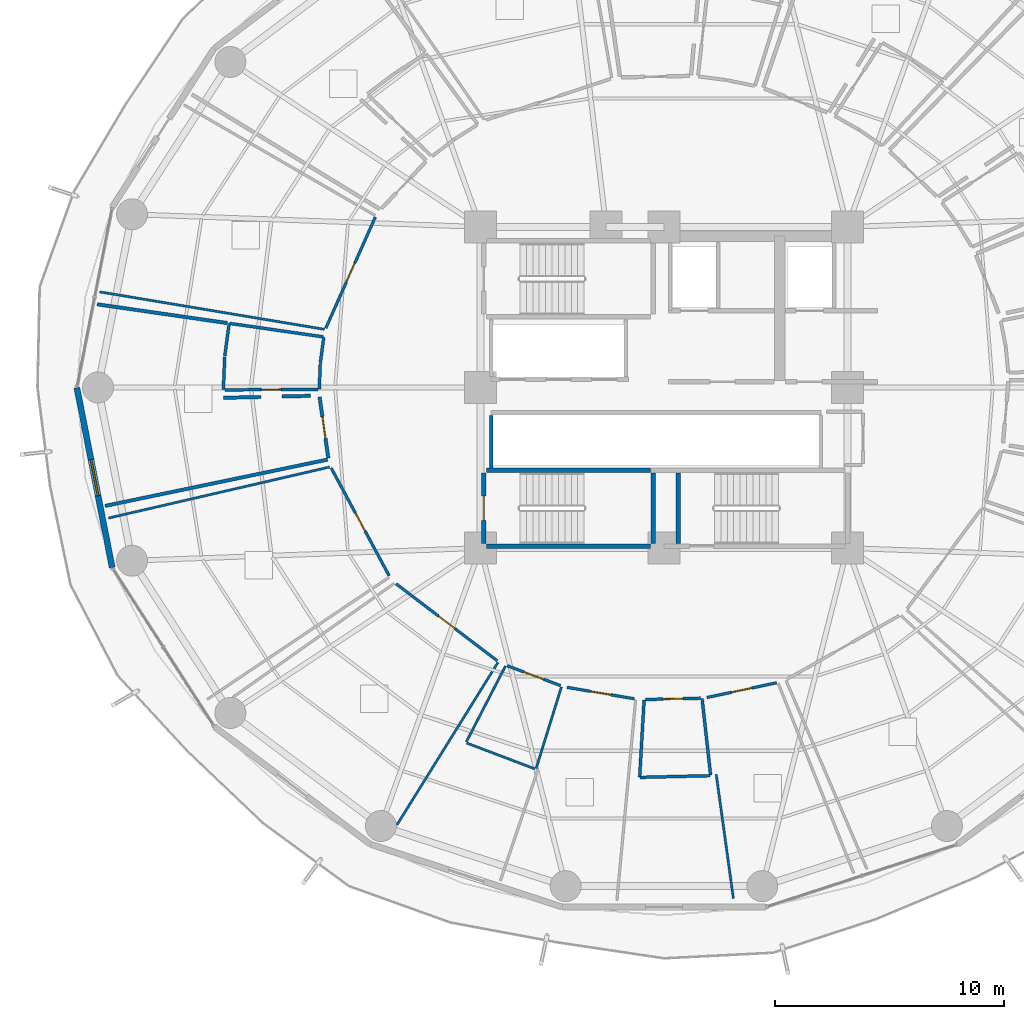
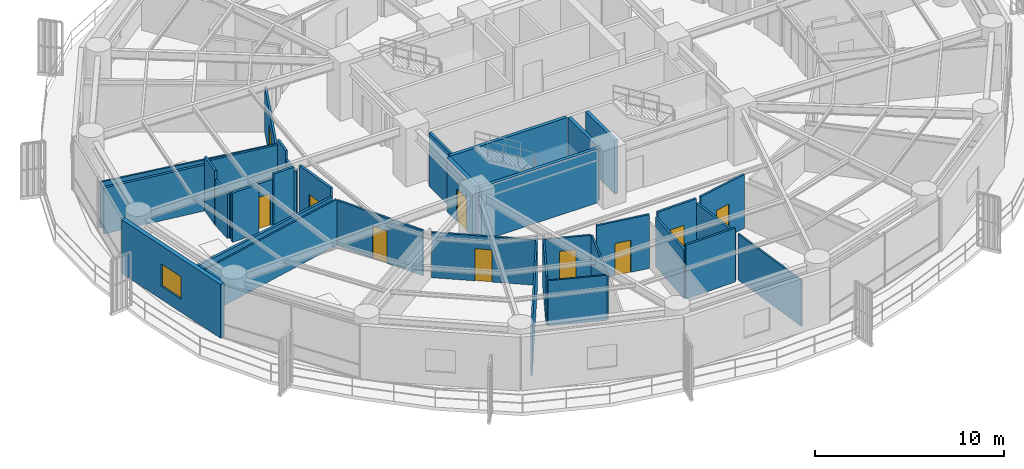
# One storey, part 27 of 35: 35 walls, 10 doors, 1 window, 11 openings.
"""IFC4 building model written with IfcOpenShell, lengths in metres."""

from ifc_helpers import new_model, si_unit, direction, frame, frame_2d, origin, place, context, subcontext, project, spatial, rectangle, extrude, material, layer, layer_set, type_object, element, fill, save


model = new_model("IFC4")

# Units and contexts
model_context = context("Model", 3, precision=1e-05, world=origin(), true_north=direction((0.0, 1.0)))
body_context = subcontext(model_context, "Body", "Model", "MODEL_VIEW")
ifc_project = project(units=[si_unit("LENGTHUNIT", "METRE"), si_unit("AREAUNIT", "SQUARE_METRE"), si_unit("VOLUMEUNIT", "CUBIC_METRE"), si_unit("PLANEANGLEUNIT", "RADIAN"), si_unit("MASSUNIT", "GRAM", prefix="KILO")], contexts=[model_context])

# Site, building, storey
site_placement = place(None, origin())
site = spatial("IfcSite", under=ifc_project, at=site_placement, CompositionType="ELEMENT")
building_placement = place(site_placement, origin())
building = spatial("IfcBuilding", under=site, at=building_placement, Name="Kelanora Arch Commons", CompositionType="ELEMENT")
storey_placement = place(building_placement, frame((0.0, 0.0, 87.60009765625)))
storey = spatial("IfcBuildingStorey", under=building, at=storey_placement, Name="L22", CompositionType="ELEMENT", Elevation=87.60009765625)

# Wall
ifc_material_1 = material(Name="Autoclaved aerated concrete blockwork with fire plaster", Category="masonry")
ifc_layer_1 = layer(ifc_material_1, 0.14990234375)
ifc_layer_set_1 = layer_set([ifc_layer_1], Name="Autoclaved aerated concrete blockwork with fire plaster")
wall_type_1 = type_object("IfcWallType", Name="W-COMP-150", PredefinedType="PARTITIONING", material=ifc_layer_set_1)
wall_1_placement = place(storey_placement, frame((66.4599609375, 54.47998046875, 0.0), z_axis=(0.0, 0.0, 1.0), x_axis=(0.0, 1.0, 0.0)))
element("IfcWall", 1, at=wall_1_placement, inside=storey, type_object=wall_type_1, Name="South Lift Bank West Wall L22", PredefinedType="PARTITIONING", context=body_context, shape_type="SweptSolid", body=[
    extrude(rectangle(XDim=2.2900390625, YDim=0.14990234375, at=frame_2d((1.14501953125, 0.0))), origin(), (0.0, 0.0, 1.0), 3.47998046875),
])

# Wall, opening, door
wall_2_placement = place(storey_placement, frame((58.9833984375, 57.585693359375, 0.0), z_axis=(0.0, 0.0, 1.0), x_axis=(0.141700939895, -0.989909512851, 0.0)))
wall_2 = element("IfcWall", 2, at=wall_2_placement, inside=storey, type_object=wall_type_1, Name="Co-Living Studio L22-07 Entry Partition", PredefinedType="PARTITIONING", context=body_context, shape_type="SweptSolid", body=[
    extrude(rectangle(XDim=2.689453125, YDim=0.14990234375, at=frame_2d((1.3447265625, 0.0))), origin(), (0.0, 0.0, 1.0), 3.47998046875),
])
opening_1_placement = place(wall_2_placement, frame((0.8701171875, 0.0, 0.0)))
opening_1 = element("IfcOpeningElement", 3, at=opening_1_placement, cuts=wall_2, Name="Opening D-CLU1", PredefinedType="OPENING", context=body_context, shape_type="SweptSolid", body=[
    extrude(rectangle(XDim=0.949951171875, YDim=2.080078125, at=frame_2d((0.47509765625, 1.0400390625))), frame((0.0, 0.0849609375, 0.0), z_axis=(0.0, -1.0, 0.0), x_axis=(1.0, 0.0, 0.0)), (0.0, 0.0, 1.0), 0.169921875),
])
ifc_material_2 = material(Name="Solid-core acoustic timber cluster entry fire door", Category="wood")
door_type_1 = type_object("IfcDoorType", Name="D-CLU-95", OperationType="NOTDEFINED", PredefinedType="DOOR", material=ifc_material_2)
door_1_placement = place(opening_1_placement, origin())
door_1 = element("IfcDoor", 4, at=door_1_placement, inside=storey, type_object=door_type_1, Name="Co-Living Studio L22-07 Door", OperationType="SINGLE_SWING_RIGHT", OverallHeight=2.080078125, OverallWidth=0.949951171875, PredefinedType="DOOR", context=body_context, shape_type="SweptSolid", body=[
    extrude(rectangle(XDim=0.949951171875, YDim=2.080078125, at=frame_2d((0.47509765625, 1.0400390625))), frame((0.0, 0.02490234375, 0.0), z_axis=(0.0, -1.0, 0.0), x_axis=(1.0, 0.0, 0.0)), (0.0, 0.0, 1.0), 0.050048828125),
])
fill(opening_1, door_1)

# Walls
wall_3_placement = place(storey_placement, frame((59.333740234375, 54.855712890625, 0.0), z_axis=(0.0, 0.0, 1.0), x_axis=(-0.979013610983, -0.203794871157, 0.0)))
element("IfcWall", 5, at=wall_3_placement, inside=storey, type_object=wall_type_1, Name="Co-Living Studio L22-07 Enclosure Partition 2", PredefinedType="PARTITIONING", context=body_context, shape_type="SweptSolid", body=[
    extrude(rectangle(XDim=9.90966796875, YDim=0.14990234375, at=frame_2d((4.954833984375, 0.0))), origin(), (0.0, 0.0, 1.0), 2.974853515625),
])
wall_4_placement = place(storey_placement, frame((49.28955078125, 61.627197265625, 0.0), z_axis=(0.0, 0.0, 1.0), x_axis=(0.989748303042, -0.142822605444, 0.0)))
element("IfcWall", 6, at=wall_4_placement, inside=storey, type_object=wall_type_1, Name="Co-Living Studio L22-07 Enclosure Partition 5", PredefinedType="PARTITIONING", context=body_context, shape_type="SweptSolid", body=[
    extrude(rectangle(XDim=5.731689453125, YDim=0.14990234375, at=frame_2d((2.86572265625, 0.0))), origin(), (0.0, 0.0, 1.0), 2.974853515625),
])
wall_5_placement = place(storey_placement, frame((54.7958984375, 57.548828125, 0.0), z_axis=(0.0, 0.0, 1.0), x_axis=(0.999735829312, 0.022984159562, 0.0)))
element("IfcWall", 7, at=wall_5_placement, inside=storey, type_object=wall_type_1, Name="Co-Living Studio L22-07 Enclosure Partition 7", PredefinedType="PARTITIONING", context=body_context, shape_type="SweptSolid", body=[
    extrude(rectangle(XDim=1.625244140625, YDim=0.14990234375, at=frame_2d((0.8125, 0.0))), origin(), (0.0, 0.0, 1.0), 3.1748046875),
])
wall_6_placement = place(storey_placement, frame((57.340576171875, 57.607421875, 0.0), z_axis=(0.0, 0.0, 1.0), x_axis=(0.999735089114, 0.02301633322, 0.0)))
element("IfcWall", 8, at=wall_6_placement, inside=storey, type_object=wall_type_1, Name="Co-Living Studio L22-07 Enclosure Partition 7", PredefinedType="PARTITIONING", context=body_context, shape_type="SweptSolid", body=[
    extrude(rectangle(XDim=1.240966796875, YDim=0.14990234375, at=frame_2d((0.62060546875, 0.0))), origin(), (0.0, 0.0, 1.0), 3.47998046875),
])

# Wall, opening, window
ifc_material_3 = material(Name="Precast concrete C40/50 with terracotta rainscreen", Category="masonry")
ifc_layer_2 = layer(ifc_material_3, 0.260009765625)
ifc_layer_set_2 = layer_set([ifc_layer_2], Name="Precast concrete C40/50 with terracotta rainscreen")
wall_type_2 = type_object("IfcWallType", Name="W-EXT-TC", PredefinedType="SOLIDWALL", material=ifc_layer_set_2)
wall_7_placement = place(storey_placement, frame((48.40283203125, 57.9853515625, 0.0), z_axis=(0.0, 0.0, 1.0), x_axis=(0.192581843632, -0.981280914674, 0.0)))
wall_7 = element("IfcWall", 9, at=wall_7_placement, inside=storey, type_object=wall_type_2, Name="Terracotta Exterior Wall L22-B09", PredefinedType="SOLIDWALL", context=body_context, shape_type="SweptSolid", body=[
    extrude(rectangle(XDim=7.986572265625, YDim=0.260009765625, at=frame_2d((3.9931640625, 0.0))), origin(), (0.0, 0.0, 1.0), 3.474853515625),
])
opening_2_placement = place(wall_7_placement, frame((3.193115234375, 0.0, 0.85009765625)))
opening_2 = element("IfcOpeningElement", 10, at=opening_2_placement, cuts=wall_7, Name="Opening WN-01", PredefinedType="OPENING", context=body_context, shape_type="SweptSolid", body=[
    extrude(rectangle(XDim=1.60009765625, YDim=1.449951171875, at=frame_2d((0.800048828125, 0.72509765625))), frame((0.0, 0.14013671875, 0.0), z_axis=(0.0, -1.0, 0.0), x_axis=(1.0, 0.0, 0.0)), (0.0, 0.0, 1.0), 0.280029296875),
])
ifc_material_4 = material(Name="Terracotta-anodised aluminium frame with operable low-E glazing", Category="masonry")
window_type = type_object("IfcWindowType", Name="WIN-CL-18", PartitioningType="DOUBLE_PANEL_VERTICAL", PredefinedType="WINDOW", material=ifc_material_4)
window_placement = place(opening_2_placement, origin())
window = element("IfcWindow", 11, at=window_placement, inside=storey, type_object=window_type, Name="Co-Living Operable Window L22-B09", OverallHeight=1.449951171875, OverallWidth=1.60009765625, PartitioningType="SINGLE_PANEL", PredefinedType="WINDOW", context=body_context, shape_type="SweptSolid", body=[
    extrude(rectangle(XDim=1.60009765625, YDim=1.449951171875, at=frame_2d((0.800048828125, 0.72509765625))), frame((0.0, 0.030029296875, 0.0), z_axis=(0.0, -1.0, 0.0), x_axis=(1.0, 0.0, 0.0)), (0.0, 0.0, 1.0), 0.06005859375),
])
fill(opening_2, window)

# Walls
ifc_material_5 = material(Name="Lightweight fire-rated acoustic stud partition")
ifc_layer_3 = layer(ifc_material_5, 0.10009765625)
ifc_layer_set_3 = layer_set([ifc_layer_3], Name="Lightweight fire-rated acoustic stud partition")
wall_type_3 = type_object("IfcWallType", Name="W-PART-100", PredefinedType="PARTITIONING", material=ifc_layer_set_3)
wall_8_placement = place(storey_placement, frame((59.19140625, 60.53759765625, 0.0), z_axis=(0.0, 0.0, 1.0), x_axis=(-0.986439069388, 0.16412788424, 0.0)))
element("IfcWall", 12, at=wall_8_placement, inside=storey, type_object=wall_type_3, Name="Social Sky Lounge L22-06 Enclosure Partition 2", PredefinedType="PARTITIONING", context=body_context, shape_type="SweptSolid", body=[
    extrude(rectangle(XDim=9.9306640625, YDim=0.10009765625, at=frame_2d((4.96533203125, 0.0))), origin(), (0.0, 0.0, 1.0), 2.974853515625),
])
wall_9_placement = place(storey_placement, frame((49.780029296875, 52.304931640625, 0.0), z_axis=(0.0, 0.0, 1.0), x_axis=(0.9743529317, 0.225025252999, 0.0)))
element("IfcWall", 13, at=wall_9_placement, inside=storey, type_object=wall_type_3, Name="Quiet Seminar Study Room L22-08 Enclosure Partition 4", PredefinedType="PARTITIONING", context=body_context, shape_type="SweptSolid", body=[
    extrude(rectangle(XDim=9.89697265625, YDim=0.10009765625, at=frame_2d((4.948486328125, 0.0))), origin(), (0.0, 0.0, 1.0), 2.974853515625),
])
wall_10_placement = place(storey_placement, frame((66.760986328125, 46.010009765625, 0.0), z_axis=(0.0, 0.0, 1.0), x_axis=(-0.528015738644, -0.849234584638, 0.0)))
element("IfcWall", 14, at=wall_10_placement, inside=storey, type_object=wall_type_3, Name="Communal Dining and Social Hall L22-09 Enclosure Partition 2", PredefinedType="PARTITIONING", context=body_context, shape_type="SweptSolid", body=[
    extrude(rectangle(XDim=8.33837890625, YDim=0.10009765625, at=frame_2d((4.169189453125, 0.0))), origin(), (0.0, 0.0, 1.0), 3.1748046875),
])
wall_11_placement = place(storey_placement, frame((69.530029296875, 44.94482421875, 0.0), z_axis=(0.0, 0.0, 1.0), x_axis=(-0.296510682072, -0.955029536411, 0.0)))
element("IfcWall", 15, at=wall_11_placement, inside=storey, type_object=wall_type_3, Name="Student Laundry Room L22-10 Enclosure Partition 2", PredefinedType="PARTITIONING", context=body_context, shape_type="SweptSolid", body=[
    extrude(rectangle(XDim=3.719970703125, YDim=0.10009765625, at=frame_2d((1.85986328125, 0.0))), origin(), (0.0, 0.0, 1.0), 2.9248046875),
])
wall_12_placement = place(storey_placement, frame((68.377685546875, 41.3681640625, 0.0), z_axis=(0.0, 0.0, 1.0), x_axis=(-0.935027341219, 0.354575621233, 0.0)))
element("IfcWall", 16, at=wall_12_placement, inside=storey, type_object=wall_type_3, Name="Student Laundry Room L22-10 Enclosure Partition 3", PredefinedType="PARTITIONING", context=body_context, shape_type="SweptSolid", body=[
    extrude(rectangle(XDim=3.18310546875, YDim=0.10009765625, at=frame_2d((1.591552734375, 0.0))), origin(), (0.0, 0.0, 1.0), 2.9248046875),
])
wall_13_placement = place(storey_placement, frame((65.38232421875, 42.54638671875, 0.0), z_axis=(0.0, 0.0, 1.0), x_axis=(0.458413879464, 0.888738834031, 0.0)))
element("IfcWall", 17, at=wall_13_placement, inside=storey, type_object=wall_type_3, Name="Student Laundry Room L22-10 Enclosure Partition 4", PredefinedType="PARTITIONING", context=body_context, shape_type="SweptSolid", body=[
    extrude(rectangle(XDim=3.719970703125, YDim=0.10009765625, at=frame_2d((1.85986328125, 0.0))), origin(), (0.0, 0.0, 1.0), 3.1748046875),
])
wall_14_placement = place(storey_placement, frame((77.026611328125, 35.724609375, 0.0), z_axis=(0.0, 0.0, 1.0), x_axis=(-0.136996790132, 0.990571491359, 0.0)))
element("IfcWall", 18, at=wall_14_placement, inside=storey, type_object=wall_type_3, Name="Tutorial Study Alcove L22-11 Enclosure Partition 4", PredefinedType="PARTITIONING", context=body_context, shape_type="SweptSolid", body=[
    extrude(rectangle(XDim=5.44775390625, YDim=0.10009765625, at=frame_2d((2.723876953125, 0.0))), origin(), (0.0, 0.0, 1.0), 2.974853515625),
])

# Wall, opening, door
ifc_material_6 = material(Name="Acoustic twin-stud fire-rated gypsum partition")
ifc_layer_4 = layer(ifc_material_6, 0.1201171875)
ifc_layer_set_4 = layer_set([ifc_layer_4], Name="Acoustic twin-stud fire-rated gypsum partition")
wall_type_4 = type_object("IfcWallType", Name="W-PART-120", PredefinedType="PARTITIONING", material=ifc_layer_set_4)
wall_15_placement = place(storey_placement, frame((61.41357421875, 65.42822265625, 0.0), z_axis=(0.0, 0.0, 1.0), x_axis=(-0.407078232177, -0.913393295841, 0.0)))
wall_15 = element("IfcWall", 19, at=wall_15_placement, inside=storey, type_object=wall_type_4, Name="Social Sky Lounge L22-06 Entry Partition", PredefinedType="PARTITIONING", context=body_context, shape_type="SweptSolid", body=[
    extrude(rectangle(XDim=5.3017578125, YDim=0.1201171875, at=frame_2d((2.65087890625, 0.0))), origin(), (0.0, 0.0, 1.0), 2.9248046875),
])
opening_3_placement = place(wall_15_placement, frame((2.200927734375, 0.0, 0.0)))
opening_3 = element("IfcOpeningElement", 20, at=opening_3_placement, cuts=wall_15, Name="Opening D-RM1", PredefinedType="OPENING", context=body_context, shape_type="SweptSolid", body=[
    extrude(rectangle(XDim=0.89990234375, YDim=2.080078125, at=frame_2d((0.449951171875, 1.0400390625))), frame((0.0, 0.070068359375, 0.0), z_axis=(0.0, -1.0, 0.0), x_axis=(1.0, 0.0, 0.0)), (0.0, 0.0, 1.0), 0.14013671875),
])
ifc_material_7 = material(Name="Acoustic fire-rated timber study and lounge door", Category="wood")
door_type_2 = type_object("IfcDoorType", Name="D-ROOM-90", OperationType="NOTDEFINED", PredefinedType="DOOR", material=ifc_material_7)
door_2_placement = place(opening_3_placement, origin())
door_2 = element("IfcDoor", 21, at=door_2_placement, inside=storey, type_object=door_type_2, Name="Social Sky Lounge L22-06 Door", OperationType="SINGLE_SWING_RIGHT", OverallHeight=2.080078125, OverallWidth=0.89990234375, PredefinedType="DOOR", context=body_context, shape_type="SweptSolid", body=[
    extrude(rectangle(XDim=0.89990234375, YDim=2.080078125, at=frame_2d((0.449951171875, 1.0400390625))), frame((0.0, 0.02490234375, 0.0), z_axis=(0.0, -1.0, 0.0), x_axis=(1.0, 0.0, 0.0)), (0.0, 0.0, 1.0), 0.050048828125),
])
fill(opening_3, door_2)

wall_16_placement = place(storey_placement, frame((59.490478515625, 54.48828125, 0.0), z_axis=(0.0, 0.0, 1.0), x_axis=(0.473630069111, -0.880723882743, 0.0)))
wall_16 = element("IfcWall", 22, at=wall_16_placement, inside=storey, type_object=wall_type_4, Name="Quiet Seminar Study Room L22-08 Entry Partition", PredefinedType="PARTITIONING", context=body_context, shape_type="SweptSolid", body=[
    extrude(rectangle(XDim=5.33154296875, YDim=0.1201171875, at=frame_2d((2.665771484375, 0.0))), origin(), (0.0, 0.0, 1.0), 2.9248046875),
])
opening_4_placement = place(wall_16_placement, frame((2.216064453125, 0.0, 0.0)))
opening_4 = element("IfcOpeningElement", 23, at=opening_4_placement, cuts=wall_16, Name="Opening D-RM1", PredefinedType="OPENING", context=body_context, shape_type="SweptSolid", body=[
    extrude(rectangle(XDim=0.89990234375, YDim=2.080078125, at=frame_2d((0.449951171875, 1.0400390625))), frame((0.0, 0.070068359375, 0.0), z_axis=(0.0, -1.0, 0.0), x_axis=(1.0, 0.0, 0.0)), (0.0, 0.0, 1.0), 0.14013671875),
])
door_3_placement = place(opening_4_placement, origin())
door_3 = element("IfcDoor", 24, at=door_3_placement, inside=storey, type_object=door_type_2, Name="Quiet Seminar Study Room L22-08 Door", OperationType="SINGLE_SWING_LEFT", OverallHeight=2.080078125, OverallWidth=0.89990234375, PredefinedType="DOOR", context=body_context, shape_type="SweptSolid", body=[
    extrude(rectangle(XDim=0.89990234375, YDim=2.080078125, at=frame_2d((0.449951171875, 1.0400390625))), frame((0.0, 0.02490234375, 0.0), z_axis=(0.0, -1.0, 0.0), x_axis=(1.0, 0.0, 0.0)), (0.0, 0.0, 1.0), 0.050048828125),
])
fill(opening_4, door_3)

wall_17_placement = place(storey_placement, frame((62.317626953125, 49.441650390625, 0.0), z_axis=(0.0, 0.0, 1.0), x_axis=(0.795762794985, -0.605608432997, 0.0)))
wall_17 = element("IfcWall", 25, at=wall_17_placement, inside=storey, type_object=wall_type_4, Name="Communal Dining and Social Hall L22-09 Entry Partition", PredefinedType="PARTITIONING", context=body_context, shape_type="SweptSolid", body=[
    extrude(rectangle(XDim=5.55029296875, YDim=0.1201171875, at=frame_2d((2.775146484375, 0.0))), origin(), (0.0, 0.0, 1.0), 2.9248046875),
])
opening_5_placement = place(wall_17_placement, frame((2.324951171875, 0.0, 0.0)))
opening_5 = element("IfcOpeningElement", 26, at=opening_5_placement, cuts=wall_17, Name="Opening D-RM1", PredefinedType="OPENING", context=body_context, shape_type="SweptSolid", body=[
    extrude(rectangle(XDim=0.89990234375, YDim=2.080078125, at=frame_2d((0.449951171875, 1.0400390625))), frame((0.0, 0.070068359375, 0.0), z_axis=(0.0, -1.0, 0.0), x_axis=(1.0, 0.0, 0.0)), (0.0, 0.0, 1.0), 0.14013671875),
])
door_4_placement = place(opening_5_placement, origin())
door_4 = element("IfcDoor", 27, at=door_4_placement, inside=storey, type_object=door_type_2, Name="Communal Dining and Social Hall L22-09 Door", OperationType="SINGLE_SWING_RIGHT", OverallHeight=2.080078125, OverallWidth=0.89990234375, PredefinedType="DOOR", context=body_context, shape_type="SweptSolid", body=[
    extrude(rectangle(XDim=0.89990234375, YDim=2.080078125, at=frame_2d((0.449951171875, 1.0400390625))), frame((0.0, 0.02490234375, 0.0), z_axis=(0.0, -1.0, 0.0), x_axis=(1.0, 0.0, 0.0)), (0.0, 0.0, 1.0), 0.050048828125),
])
fill(opening_5, door_4)

wall_18_placement = place(storey_placement, frame((67.162109375, 45.8671875, 0.0), z_axis=(0.0, 0.0, 1.0), x_axis=(0.937401389833, -0.348250821018, 0.0)))
wall_18 = element("IfcWall", 28, at=wall_18_placement, inside=storey, type_object=wall_type_4, Name="Student Laundry Room L22-10 Entry Partition", PredefinedType="PARTITIONING", context=body_context, shape_type="SweptSolid", body=[
    extrude(rectangle(XDim=2.47900390625, YDim=0.1201171875, at=frame_2d((1.239501953125, 0.0))), origin(), (0.0, 0.0, 1.0), 2.9248046875),
])
opening_6_placement = place(wall_18_placement, frame((0.7890625, 0.0, 0.0)))
opening_6 = element("IfcOpeningElement", 29, at=opening_6_placement, cuts=wall_18, Name="Opening D-RM1", PredefinedType="OPENING", context=body_context, shape_type="SweptSolid", body=[
    extrude(rectangle(XDim=0.89990234375, YDim=2.080078125, at=frame_2d((0.449951171875, 1.0400390625))), frame((0.0, 0.070068359375, 0.0), z_axis=(0.0, -1.0, 0.0), x_axis=(1.0, 0.0, 0.0)), (0.0, 0.0, 1.0), 0.14013671875),
])
door_5_placement = place(opening_6_placement, origin())
door_5 = element("IfcDoor", 30, at=door_5_placement, inside=storey, type_object=door_type_2, Name="Student Laundry Room L22-10 Door", OperationType="SINGLE_SWING_LEFT", OverallHeight=2.080078125, OverallWidth=0.89990234375, PredefinedType="DOOR", context=body_context, shape_type="SweptSolid", body=[
    extrude(rectangle(XDim=0.89990234375, YDim=2.080078125, at=frame_2d((0.449951171875, 1.0400390625))), frame((0.0, 0.02490234375, 0.0), z_axis=(0.0, -1.0, 0.0), x_axis=(1.0, 0.0, 0.0)), (0.0, 0.0, 1.0), 0.050048828125),
])
fill(opening_6, door_5)

wall_19_placement = place(storey_placement, frame((69.777099609375, 44.9248046875, 0.0), z_axis=(0.0, 0.0, 1.0), x_axis=(0.985835901267, -0.167712777608, 0.0)))
wall_19 = element("IfcWall", 31, at=wall_19_placement, inside=storey, type_object=wall_type_4, Name="Quiet Reading Carrel L22-10 Entry Partition", PredefinedType="PARTITIONING", context=body_context, shape_type="SweptSolid", body=[
    extrude(rectangle(XDim=2.97412109375, YDim=0.1201171875, at=frame_2d((1.487060546875, 0.0))), origin(), (0.0, 0.0, 1.0), 3.47998046875),
])
opening_7_placement = place(wall_19_placement, frame((1.037109375, 0.0, 0.0)))
opening_7 = element("IfcOpeningElement", 32, at=opening_7_placement, cuts=wall_19, Name="Opening D-RM1", PredefinedType="OPENING", context=body_context, shape_type="SweptSolid", body=[
    extrude(rectangle(XDim=0.89990234375, YDim=2.080078125, at=frame_2d((0.449951171875, 1.0400390625))), frame((0.0, 0.070068359375, 0.0), z_axis=(0.0, -1.0, 0.0), x_axis=(1.0, 0.0, 0.0)), (0.0, 0.0, 1.0), 0.14013671875),
])
door_6_placement = place(opening_7_placement, origin())
door_6 = element("IfcDoor", 33, at=door_6_placement, inside=storey, type_object=door_type_2, Name="Quiet Reading Carrel L22-10 Door", OperationType="SINGLE_SWING_RIGHT", OverallHeight=2.080078125, OverallWidth=0.89990234375, PredefinedType="DOOR", context=body_context, shape_type="SweptSolid", body=[
    extrude(rectangle(XDim=0.89990234375, YDim=2.080078125, at=frame_2d((0.449951171875, 1.0400390625))), frame((0.0, 0.02490234375, 0.0), z_axis=(0.0, -1.0, 0.0), x_axis=(1.0, 0.0, 0.0)), (0.0, 0.0, 1.0), 0.050048828125),
])
fill(opening_7, door_6)

wall_20_placement = place(storey_placement, frame((75.875732421875, 44.482421875, 0.0), z_axis=(0.0, 0.0, 1.0), x_axis=(0.978387400111, 0.206780306856, 0.0)))
wall_20 = element("IfcWall", 34, at=wall_20_placement, inside=storey, type_object=wall_type_4, Name="Tutorial Study Alcove L22-11 Entry Partition", PredefinedType="PARTITIONING", context=body_context, shape_type="SweptSolid", body=[
    extrude(rectangle(XDim=3.100341796875, YDim=0.1201171875, at=frame_2d((1.55029296875, 0.0))), origin(), (0.0, 0.0, 1.0), 3.47998046875),
])
opening_8_placement = place(wall_20_placement, frame((1.10009765625, 0.0, 0.0)))
opening_8 = element("IfcOpeningElement", 35, at=opening_8_placement, cuts=wall_20, Name="Opening D-RM1", PredefinedType="OPENING", context=body_context, shape_type="SweptSolid", body=[
    extrude(rectangle(XDim=0.89990234375, YDim=2.080078125, at=frame_2d((0.449951171875, 1.0400390625))), frame((0.0, 0.070068359375, 0.0), z_axis=(0.0, -1.0, 0.0), x_axis=(1.0, 0.0, 0.0)), (0.0, 0.0, 1.0), 0.14013671875),
])
door_7_placement = place(opening_8_placement, origin())
door_7 = element("IfcDoor", 36, at=door_7_placement, inside=storey, type_object=door_type_2, Name="Tutorial Study Alcove L22-11 Door", OperationType="SINGLE_SWING_RIGHT", OverallHeight=2.080078125, OverallWidth=0.89990234375, PredefinedType="DOOR", context=body_context, shape_type="SweptSolid", body=[
    extrude(rectangle(XDim=0.89990234375, YDim=2.080078125, at=frame_2d((0.449951171875, 1.0400390625))), frame((0.0, 0.02490234375, 0.0), z_axis=(0.0, -1.0, 0.0), x_axis=(1.0, 0.0, 0.0)), (0.0, 0.0, 1.0), 0.050048828125),
])
fill(opening_8, door_7)

# Walls
ifc_material_8 = material(Name="Concrete C40/50", Category="concrete")
ifc_layer_5 = layer(ifc_material_8, 0.199951171875)
ifc_layer_set_5 = layer_set([ifc_layer_5], Name="Concrete C40/50")
wall_type_5 = type_object("IfcWallType", Name="W-STAIR-200", PredefinedType="SHEAR", material=ifc_layer_set_5)
wall_21_placement = place(storey_placement, frame((74.6201171875, 54.27001953125, 0.0), z_axis=(0.0, 0.0, 1.0), x_axis=(0.0, -1.0, 0.0)))
element("IfcWall", 37, at=wall_21_placement, inside=storey, type_object=wall_type_5, Name="Stair ST-T2 Shaft Wall W L22", PredefinedType="SHEAR", context=body_context, shape_type="SweptSolid", body=[
    extrude(rectangle(XDim=3.070068359375, YDim=0.199951171875, at=frame_2d((1.53515625, 0.0))), origin(), (0.0, 0.0, 1.0), 3.489990234375),
])
wall_22_placement = place(storey_placement, frame((66.260009765625, 51.080078125, 0.0), z_axis=(0.0, 0.0, 1.0), x_axis=(1.0, 0.0, 0.0)))
element("IfcWall", 38, at=wall_22_placement, inside=storey, type_object=wall_type_5, Name="Stair ST-T3 Shaft Wall S L22", PredefinedType="SHEAR", context=body_context, shape_type="SweptSolid", body=[
    extrude(rectangle(XDim=7.159912109375, YDim=0.199951171875, at=frame_2d((3.580078125, 0.0))), origin(), (0.0, 0.0, 1.0), 3.489990234375),
])
wall_23_placement = place(storey_placement, frame((73.5400390625, 51.199951171875, 0.0), z_axis=(0.0, 0.0, 1.0), x_axis=(0.0, 1.0, 0.0)))
element("IfcWall", 39, at=wall_23_placement, inside=storey, type_object=wall_type_5, Name="Stair ST-T3 Shaft Wall E L22", PredefinedType="SHEAR", context=body_context, shape_type="SweptSolid", body=[
    extrude(rectangle(XDim=3.070068359375, YDim=0.199951171875, at=frame_2d((1.53515625, 0.0))), origin(), (0.0, 0.0, 1.0), 3.489990234375),
])
wall_24_placement = place(storey_placement, frame((73.419921875, 54.389892578125, 0.0), z_axis=(0.0, 0.0, 1.0), x_axis=(-1.0, 0.0, 0.0)))
element("IfcWall", 40, at=wall_24_placement, inside=storey, type_object=wall_type_5, Name="Stair ST-T3 Shaft Wall N L22", PredefinedType="SHEAR", context=body_context, shape_type="SweptSolid", body=[
    extrude(rectangle(XDim=7.159912109375, YDim=0.199951171875, at=frame_2d((3.580078125, 0.0))), origin(), (0.0, 0.0, 1.0), 3.489990234375),
])

# Wall, opening, door
wall_25_placement = place(storey_placement, frame((66.139892578125, 54.27001953125, 0.0), z_axis=(0.0, 0.0, 1.0), x_axis=(0.0, -1.0, 0.0)))
wall_25 = element("IfcWall", 41, at=wall_25_placement, inside=storey, type_object=wall_type_5, Name="Stair ST-T3 Shaft Wall W L22", PredefinedType="SHEAR", context=body_context, shape_type="SweptSolid", body=[
    extrude(rectangle(XDim=3.070068359375, YDim=0.199951171875, at=frame_2d((1.53515625, 0.0))), origin(), (0.0, 0.0, 1.0), 3.489990234375),
])
opening_9_placement = place(wall_25_placement, frame((1.010009765625, 0.0, 0.0)))
opening_9 = element("IfcOpeningElement", 42, at=opening_9_placement, cuts=wall_25, Name="Opening D-ST1", PredefinedType="OPENING", context=body_context, shape_type="SweptSolid", body=[
    extrude(rectangle(XDim=1.050048828125, YDim=2.10009765625, at=frame_2d((0.52490234375, 1.050048828125))), frame((0.0, 0.10986328125, 0.0), z_axis=(0.0, -1.0, 0.0), x_axis=(1.0, 0.0, 0.0)), (0.0, 0.0, 1.0), 0.219970703125),
])
ifc_material_9 = material(Name="Steel fire-rated stairwell escape door", Category="steel")
door_type_3 = type_object("IfcDoorType", Name="D-STAIR-110", OperationType="NOTDEFINED", PredefinedType="DOOR", material=ifc_material_9)
door_8_placement = place(opening_9_placement, origin())
door_8 = element("IfcDoor", 43, at=door_8_placement, inside=storey, type_object=door_type_3, Name="Stair ST-T3 Escape Door L22", OperationType="SINGLE_SWING_LEFT", OverallHeight=2.10009765625, OverallWidth=1.050048828125, PredefinedType="DOOR", context=body_context, shape_type="SweptSolid", body=[
    extrude(rectangle(XDim=1.050048828125, YDim=2.10009765625, at=frame_2d((0.52490234375, 1.050048828125))), frame((0.0, 0.02490234375, 0.0), z_axis=(0.0, -1.0, 0.0), x_axis=(1.0, 0.0, 0.0)), (0.0, 0.0, 1.0), 0.050048828125),
])
fill(opening_9, door_8)

ifc_material_10 = material(Name="Moisture-resistant fire-rated cement-board plumbing wall")
ifc_layer_6 = layer(ifc_material_10, 0.1298828125)
ifc_layer_set_6 = layer_set([ifc_layer_6], Name="Moisture-resistant fire-rated cement-board plumbing wall")
wall_type_6 = type_object("IfcWallType", Name="W-WET-120", PredefinedType="PLUMBINGWALL", material=ifc_layer_set_6)
wall_26_placement = place(storey_placement, frame((58.909912109375, 57.917724609375, 0.0), z_axis=(0.0, 0.0, 1.0), x_axis=(-0.999986004608, -0.005290613143, 0.0)))
wall_26 = element("IfcWall", 44, at=wall_26_placement, inside=storey, type_object=wall_type_6, Name="En-Suite Shower WC L22-07 Entry Partition", PredefinedType="PLUMBINGWALL", context=body_context, shape_type="SweptSolid", body=[
    extrude(rectangle(XDim=4.060791015625, YDim=0.1298828125, at=frame_2d((2.0302734375, 0.0))), origin(), (0.0, 0.0, 1.0), 2.9248046875),
])
opening_10_placement = place(wall_26_placement, frame((1.60107421875, 0.0, 0.0)))
opening_10 = element("IfcOpeningElement", 45, at=opening_10_placement, cuts=wall_26, Name="Opening D-BT1", PredefinedType="OPENING", context=body_context, shape_type="SweptSolid", body=[
    extrude(rectangle(XDim=0.860107421875, YDim=2.050048828125, at=frame_2d((0.43017578125, 1.02490234375))), frame((0.0, 0.074951171875, 0.0), z_axis=(0.0, -1.0, 0.0), x_axis=(1.0, 0.0, 0.0)), (0.0, 0.0, 1.0), 0.14990234375),
])
ifc_material_11 = material(Name="Moisture-sealed fire-rated accessible bathroom door")
door_type_4 = type_object("IfcDoorType", Name="D-BATH-85", OperationType="NOTDEFINED", PredefinedType="DOOR", material=ifc_material_11)
door_9_placement = place(opening_10_placement, origin())
door_9 = element("IfcDoor", 46, at=door_9_placement, inside=storey, type_object=door_type_4, Name="En-Suite Shower WC L22-07 Door", OperationType="SINGLE_SWING_LEFT", OverallHeight=2.050048828125, OverallWidth=0.860107421875, PredefinedType="DOOR", context=body_context, shape_type="SweptSolid", body=[
    extrude(rectangle(XDim=0.860107421875, YDim=2.050048828125, at=frame_2d((0.43017578125, 1.02490234375))), frame((0.0, 0.02490234375, 0.0), z_axis=(0.0, -1.0, 0.0), x_axis=(1.0, 0.0, 0.0)), (0.0, 0.0, 1.0), 0.050048828125),
])
fill(opening_10, door_9)

wall_27_placement = place(storey_placement, frame((73.195068359375, 44.394287109375, 0.0), z_axis=(0.0, 0.0, 1.0), x_axis=(0.999715810971, 0.023838986867, 0.0)))
wall_27 = element("IfcWall", 47, at=wall_27_placement, inside=storey, type_object=wall_type_6, Name="Accessible Shared Floor WC L22-11 Entry Partition", PredefinedType="PLUMBINGWALL", context=body_context, shape_type="SweptSolid", body=[
    extrude(rectangle(XDim=2.40673828125, YDim=0.1298828125, at=frame_2d((1.203369140625, 0.0))), origin(), (0.0, 0.0, 1.0), 3.47998046875),
])
opening_11_placement = place(wall_27_placement, frame((0.77294921875, 0.0, 0.0)))
opening_11 = element("IfcOpeningElement", 48, at=opening_11_placement, cuts=wall_27, Name="Opening D-BT1", PredefinedType="OPENING", context=body_context, shape_type="SweptSolid", body=[
    extrude(rectangle(XDim=0.860107421875, YDim=2.050048828125, at=frame_2d((0.43017578125, 1.02490234375))), frame((0.0, 0.074951171875, 0.0), z_axis=(0.0, -1.0, 0.0), x_axis=(1.0, 0.0, 0.0)), (0.0, 0.0, 1.0), 0.14990234375),
])
door_10_placement = place(opening_11_placement, origin())
door_10 = element("IfcDoor", 49, at=door_10_placement, inside=storey, type_object=door_type_4, Name="Accessible Shared Floor WC L22-11 Door", OperationType="SINGLE_SWING_LEFT", OverallHeight=2.050048828125, OverallWidth=0.860107421875, PredefinedType="DOOR", context=body_context, shape_type="SweptSolid", body=[
    extrude(rectangle(XDim=0.860107421875, YDim=2.050048828125, at=frame_2d((0.43017578125, 1.02490234375))), frame((0.0, 0.02490234375, 0.0), z_axis=(0.0, -1.0, 0.0), x_axis=(1.0, 0.0, 0.0)), (0.0, 0.0, 1.0), 0.050048828125),
])
fill(opening_11, door_10)

# Walls
wall_28_placement = place(storey_placement, frame((59.165283203125, 60.18310546875, 0.0), z_axis=(0.0, 0.0, 1.0), x_axis=(-0.132293485363, -0.991210590001, 0.0)))
element("IfcWall", 50, at=wall_28_placement, inside=storey, type_object=wall_type_6, Name="En-Suite Shower WC L22-07 Enclosure Partition 1", PredefinedType="PLUMBINGWALL", context=body_context, shape_type="SweptSolid", body=[
    extrude(rectangle(XDim=1.109130859375, YDim=0.1298828125, at=frame_2d((0.5546875, 0.0))), origin(), (0.0, 0.0, 1.0), 3.47998046875),
])
wall_29_placement = place(storey_placement, frame((59.01513671875, 59.0439453125, 0.0), z_axis=(0.0, 0.0, 1.0), x_axis=(-0.040144213929, -0.999193896142, 0.0)))
element("IfcWall", 51, at=wall_29_placement, inside=storey, type_object=wall_type_6, Name="En-Suite Shower WC L22-07 Enclosure Partition 2", PredefinedType="PLUMBINGWALL", context=body_context, shape_type="SweptSolid", body=[
    extrude(rectangle(XDim=1.10693359375, YDim=0.1298828125, at=frame_2d((0.553466796875, 0.0))), origin(), (0.0, 0.0, 1.0), 2.9248046875),
])
wall_30_placement = place(storey_placement, frame((54.789794921875, 57.916015625, 0.0), z_axis=(0.0, 0.0, 1.0), x_axis=(0.040511918217, 0.999179055266, 0.0)))
element("IfcWall", 52, at=wall_30_placement, inside=storey, type_object=wall_type_6, Name="En-Suite Shower WC L22-07 Enclosure Partition 4", PredefinedType="PLUMBINGWALL", context=body_context, shape_type="SweptSolid", body=[
    extrude(rectangle(XDim=1.416259765625, YDim=0.1298828125, at=frame_2d((0.7080078125, 0.0))), origin(), (0.0, 0.0, 1.0), 2.9248046875),
])
wall_31_placement = place(storey_placement, frame((54.8505859375, 59.370849609375, 0.0), z_axis=(0.0, 0.0, 1.0), x_axis=(0.133008986947, 0.991114831587, 0.0)))
element("IfcWall", 53, at=wall_31_placement, inside=storey, type_object=wall_type_6, Name="En-Suite Shower WC L22-07 Enclosure Partition 5", PredefinedType="PLUMBINGWALL", context=body_context, shape_type="SweptSolid", body=[
    extrude(rectangle(XDim=1.4189453125, YDim=0.1298828125, at=frame_2d((0.70947265625, 0.0))), origin(), (0.0, 0.0, 1.0), 3.47998046875),
])
wall_32_placement = place(storey_placement, frame((55.061767578125, 60.794189453125, 0.0), z_axis=(0.0, 0.0, 1.0), x_axis=(0.989792775484, -0.142514075094, 0.0)))
element("IfcWall", 54, at=wall_32_placement, inside=storey, type_object=wall_type_6, Name="En-Suite Shower WC L22-07 Enclosure Partition 6", PredefinedType="PLUMBINGWALL", context=body_context, shape_type="SweptSolid", body=[
    extrude(rectangle(XDim=4.128662109375, YDim=0.1298828125, at=frame_2d((2.064453125, 0.0))), origin(), (0.0, 0.0, 1.0), 3.1748046875),
])
wall_33_placement = place(storey_placement, frame((75.6630859375, 44.43310546875, 0.0), z_axis=(0.0, 0.0, 1.0), x_axis=(0.110311886913, -0.993897020624, 0.0)))
element("IfcWall", 55, at=wall_33_placement, inside=storey, type_object=wall_type_6, Name="Accessible Shared Floor WC L22-11 Enclosure Partition 2", PredefinedType="PLUMBINGWALL", context=body_context, shape_type="SweptSolid", body=[
    extrude(rectangle(XDim=3.359619140625, YDim=0.1298828125, at=frame_2d((1.6796875, 0.0))), origin(), (0.0, 0.0, 1.0), 3.1748046875),
])
wall_34_placement = place(storey_placement, frame((76.01611328125, 41.073486328125, 0.0), z_axis=(0.0, 0.0, 1.0), x_axis=(-0.999699597441, -0.024509485419, 0.0)))
element("IfcWall", 56, at=wall_34_placement, inside=storey, type_object=wall_type_6, Name="Accessible Shared Floor WC L22-11 Enclosure Partition 3", PredefinedType="PLUMBINGWALL", context=body_context, shape_type="SweptSolid", body=[
    extrude(rectangle(XDim=3.05810546875, YDim=0.1298828125, at=frame_2d((1.529052734375, 0.0))), origin(), (0.0, 0.0, 1.0), 3.47998046875),
])
wall_35_placement = place(storey_placement, frame((72.940185546875, 41.01806640625, 0.0), z_axis=(0.0, 0.0, 1.0), x_axis=(0.057610459658, 0.998339138238, 0.0)))
element("IfcWall", 57, at=wall_35_placement, inside=storey, type_object=wall_type_6, Name="Accessible Shared Floor WC L22-11 Enclosure Partition 4", PredefinedType="PLUMBINGWALL", context=body_context, shape_type="SweptSolid", body=[
    extrude(rectangle(XDim=3.360595703125, YDim=0.1298828125, at=frame_2d((1.68017578125, 0.0))), origin(), (0.0, 0.0, 1.0), 3.1748046875),
])

save(model, "model.ifc")
